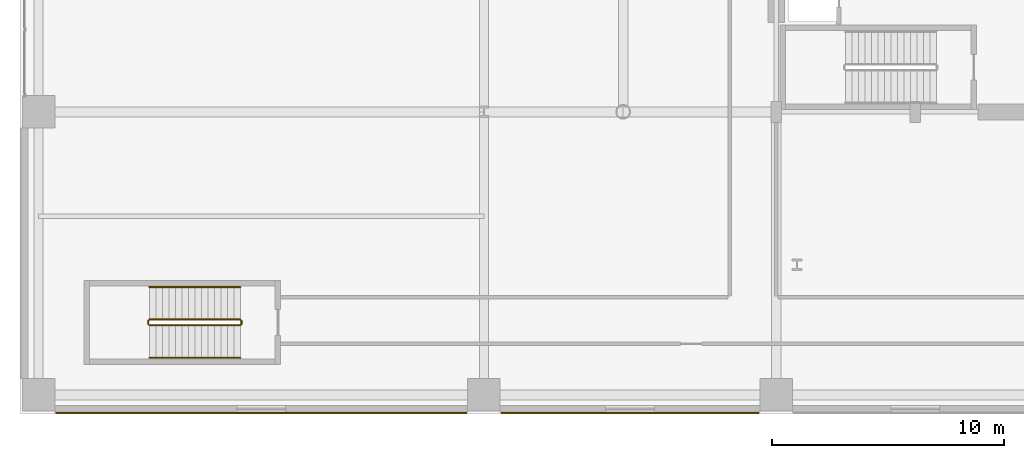
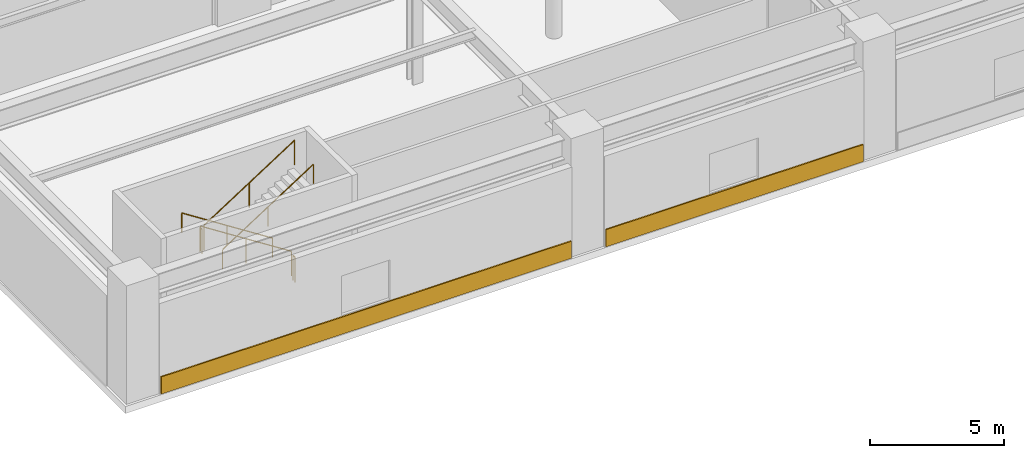
# One storey, part 24 of 28: 6 railings, 2 coverings.
"""IFC4 building model written with IfcOpenShell, lengths in metres."""

from ifc_helpers import new_model, si_unit, direction, frame, origin, origin_2d, place, context, subcontext, project, spatial, rectangle, circle, extrude, material, layer, layer_set, type_object, element, save


model = new_model("IFC4")

# Units and contexts
model_context = context("Model", 3, precision=1e-05, world=origin(), true_north=direction((0.0, 1.0)))
body_context = subcontext(model_context, "Body", "Model", "MODEL_VIEW")
ifc_project = project(units=[si_unit("LENGTHUNIT", "METRE"), si_unit("AREAUNIT", "SQUARE_METRE"), si_unit("VOLUMEUNIT", "CUBIC_METRE"), si_unit("PLANEANGLEUNIT", "RADIAN"), si_unit("MASSUNIT", "GRAM", prefix="KILO")], contexts=[model_context])

# Site, building, storey
site_placement = place(None, origin())
site = spatial("IfcSite", under=ifc_project, at=site_placement, CompositionType="ELEMENT")
building_placement = place(site_placement, origin())
building = spatial("IfcBuilding", under=site, at=building_placement, Name="Soratama Intermodal Tower", CompositionType="ELEMENT")
storey_placement = place(building_placement, frame((0.0, 0.0, 6.0)))
storey = spatial("IfcBuildingStorey", under=building, at=storey_placement, Name="L01", CompositionType="ELEMENT", Elevation=6.0)

# Coverings
ifc_material_1 = material(Name="Honed Andean limestone cladding", Category="masonry")
ifc_layer = layer(ifc_material_1, 0.06005859375)
ifc_layer_set = layer_set([ifc_layer], Name="Honed Andean limestone cladding")
covering_type = type_object("IfcCoveringType", Name="CV-STONE-CLAD", PredefinedType="CLADDING", material=ifc_layer_set)
covering_1_placement = place(storey_placement, frame((10.39990234375, 2.02392578125, 0.02978515625), z_axis=(0.0, 0.0, 1.0), x_axis=(1.0, 0.0, 0.0)))
element("IfcCovering", 1, at=covering_1_placement, inside=storey, type_object=covering_type, Name="L01 S Cladding B1", PredefinedType="CLADDING", context=body_context, shape_type="SweptSolid", body=[
    extrude(rectangle(XDim=17.699951171875, YDim=0.06005859375, at=origin_2d()), origin(), (0.0, 0.0, 1.0), 0.780029296875),
])
covering_2_placement = place(storey_placement, frame((26.300048828125, 2.02392578125, 0.02978515625), z_axis=(0.0, 0.0, 1.0), x_axis=(1.0, 0.0, 0.0)))
element("IfcCovering", 2, at=covering_2_placement, inside=storey, type_object=covering_type, Name="L01 S Cladding B2", PredefinedType="CLADDING", context=body_context, shape_type="SweptSolid", body=[
    extrude(rectangle(XDim=11.10009765625, YDim=0.06005859375, at=origin_2d()), origin(), (0.0, 0.0, 1.0), 0.780029296875),
])

# Railings
ifc_material_2 = material(Name="Painted steel stair guardrail", Category="steel")
railing_type_1 = type_object("IfcRailingType", Name="RL-STAIR-GUARD", PredefinedType="GUARDRAIL", material=ifc_material_2)
railing_1_placement = place(storey_placement, frame((9.5, 6.050048828125, 0.179931640625)))
element("IfcRailing", 3, at=railing_1_placement, inside=storey, type_object=railing_type_1, Name="L01 ST-3 stair guard 1", PredefinedType="GUARDRAIL", context=body_context, shape_type="SweptSolid", body=[
    extrude(circle(Radius=0.02392578125, at=origin_2d()), frame((0.0, 0.0, 1.1259765625), z_axis=(-0.841171666519, 0.0, 0.540768182723), x_axis=(0.0, -1.0, 0.0)), (0.0, 0.0, 1.0), 4.66015625),
    extrude(circle(Radius=0.02099609375, at=origin_2d()), origin(), (0.0, 0.0, 1.0), 1.101806640625),
    extrude(circle(Radius=0.02099609375, at=origin_2d()), frame((-1.9599609375, 0.0, 1.260009765625)), (0.0, 0.0, 1.0), 1.101806640625),
    extrude(circle(Radius=0.02099609375, at=origin_2d()), frame((-3.919921875, 0.0, 2.52001953125)), (0.0, 0.0, 1.0), 1.101806640625),
])
railing_2_placement = place(storey_placement, frame((5.530029296875, 6.0, 2.699951171875)))
element("IfcRailing", 4, at=railing_2_placement, inside=storey, type_object=railing_type_1, Name="L01 ST-3 stair guard 2", PredefinedType="GUARDRAIL", context=body_context, shape_type="SweptSolid", body=[
    extrude(circle(Radius=0.02392578125, at=origin_2d()), frame((0.0, 0.0, 1.1259765625), z_axis=(0.0, -1.0, 0.0), x_axis=(1.0, 0.0, 0.0)), (0.0, 0.0, 1.0), 0.14990234375),
    extrude(circle(Radius=0.02099609375, at=origin_2d()), origin(), (0.0, 0.0, 1.0), 1.101806640625),
    extrude(circle(Radius=0.02099609375, at=origin_2d()), frame((0.0, -0.14990234375, 0.0)), (0.0, 0.0, 1.0), 1.101806640625),
])
railing_3_placement = place(storey_placement, frame((5.580078125, 5.800048828125, 2.8798828125)))
element("IfcRailing", 5, at=railing_3_placement, inside=storey, type_object=railing_type_1, Name="L01 ST-3 stair guard 3", PredefinedType="GUARDRAIL", context=body_context, shape_type="SweptSolid", body=[
    extrude(circle(Radius=0.02392578125, at=origin_2d()), frame((0.0, 0.0, 1.1259765625), z_axis=(0.841171666519, 0.0, 0.540768182723), x_axis=(0.0, 1.0, 0.0)), (0.0, 0.0, 1.0), 4.66015625),
    extrude(circle(Radius=0.02099609375, at=origin_2d()), origin(), (0.0, 0.0, 1.0), 1.101806640625),
    extrude(circle(Radius=0.02099609375, at=origin_2d()), frame((1.9599609375, 0.0, 1.260009765625)), (0.0, 0.0, 1.0), 1.101806640625),
    extrude(circle(Radius=0.02099609375, at=origin_2d()), frame((3.919921875, 0.0, 2.52001953125)), (0.0, 0.0, 1.0), 1.101806640625),
])
railing_4_placement = place(storey_placement, frame((9.550048828125, 6.0, 0.0)))
element("IfcRailing", 6, at=railing_4_placement, inside=storey, type_object=railing_type_1, Name="L01 ST-3 stair guard 4", PredefinedType="GUARDRAIL", context=body_context, shape_type="SweptSolid", body=[
    extrude(circle(Radius=0.02392578125, at=origin_2d()), frame((0.0, 0.0, 1.1259765625), z_axis=(0.0, -1.0, 0.0), x_axis=(1.0, 0.0, 0.0)), (0.0, 0.0, 1.0), 0.14990234375),
    extrude(circle(Radius=0.02099609375, at=origin_2d()), origin(), (0.0, 0.0, 1.0), 1.101806640625),
    extrude(circle(Radius=0.02099609375, at=origin_2d()), frame((0.0, -0.14990234375, 0.0)), (0.0, 0.0, 1.0), 1.101806640625),
])
ifc_material_3 = material(Name="Brushed stainless steel handrail", Category="steel")
railing_type_2 = type_object("IfcRailingType", Name="RL-STAIR-HAND", PredefinedType="HANDRAIL", material=ifc_material_3)
railing_5_placement = place(storey_placement, frame((9.5, 7.449951171875, 0.179931640625)))
element("IfcRailing", 7, at=railing_5_placement, inside=storey, type_object=railing_type_2, Name="L01 ST-3 stair handrail 1", PredefinedType="HANDRAIL", context=body_context, shape_type="SweptSolid", body=[
    extrude(circle(Radius=0.02392578125, at=origin_2d()), frame((0.0, 0.0, 0.8759765625), z_axis=(-0.841171666519, 0.0, 0.540768182723), x_axis=(0.0, -1.0, 0.0)), (0.0, 0.0, 1.0), 4.66015625),
    extrude(circle(Radius=0.02099609375, at=origin_2d()), origin(), (0.0, 0.0, 1.0), 0.851806640625),
    extrude(circle(Radius=0.02099609375, at=origin_2d()), frame((-1.9599609375, 0.0, 1.260009765625)), (0.0, 0.0, 1.0), 0.851806640625),
    extrude(circle(Radius=0.02099609375, at=origin_2d()), frame((-3.919921875, 0.0, 2.52001953125)), (0.0, 0.0, 1.0), 0.851806640625),
])
railing_6_placement = place(storey_placement, frame((5.580078125, 4.39990234375, 2.8798828125)))
element("IfcRailing", 8, at=railing_6_placement, inside=storey, type_object=railing_type_2, Name="L01 ST-3 stair handrail 2", PredefinedType="HANDRAIL", context=body_context, shape_type="SweptSolid", body=[
    extrude(circle(Radius=0.02392578125, at=origin_2d()), frame((0.0, 0.0, 0.8759765625), z_axis=(0.841171666519, 0.0, 0.540768182723), x_axis=(0.0, 1.0, 0.0)), (0.0, 0.0, 1.0), 4.66015625),
    extrude(circle(Radius=0.02099609375, at=origin_2d()), origin(), (0.0, 0.0, 1.0), 0.851806640625),
    extrude(circle(Radius=0.02099609375, at=origin_2d()), frame((1.9599609375, 0.0, 1.260009765625)), (0.0, 0.0, 1.0), 0.851806640625),
    extrude(circle(Radius=0.02099609375, at=origin_2d()), frame((3.919921875, 0.0, 2.52001953125)), (0.0, 0.0, 1.0), 0.851806640625),
])

save(model, "model.ifc")
